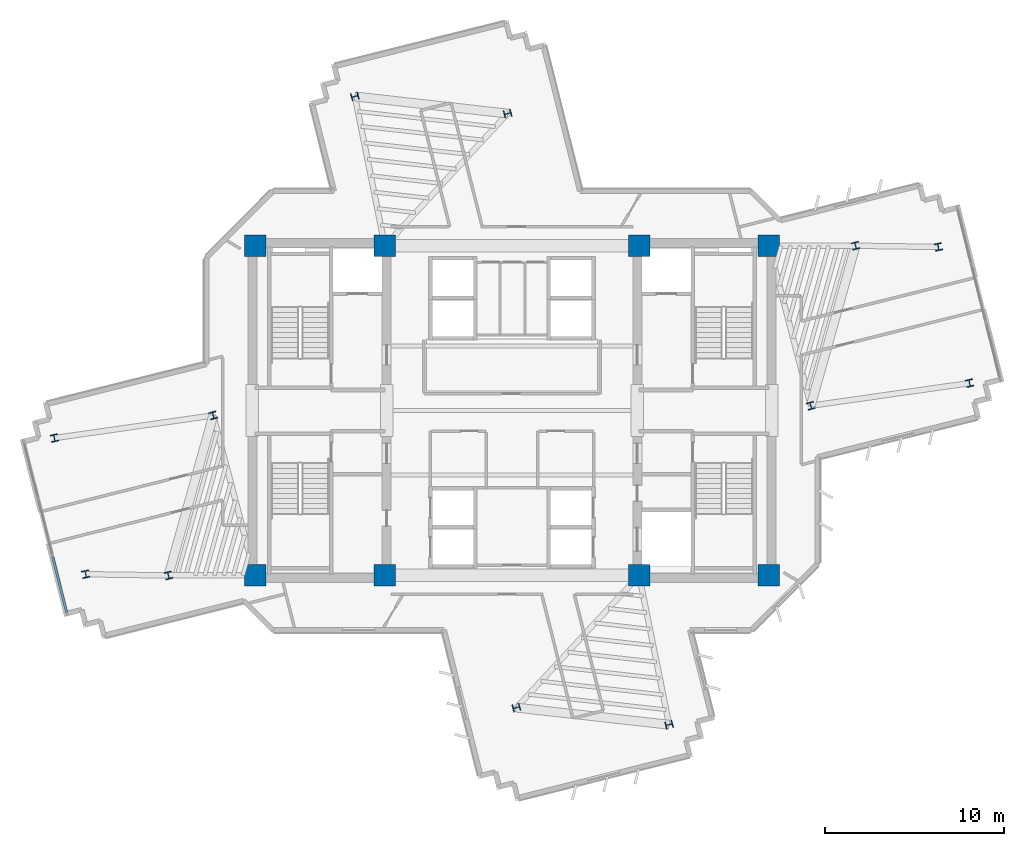
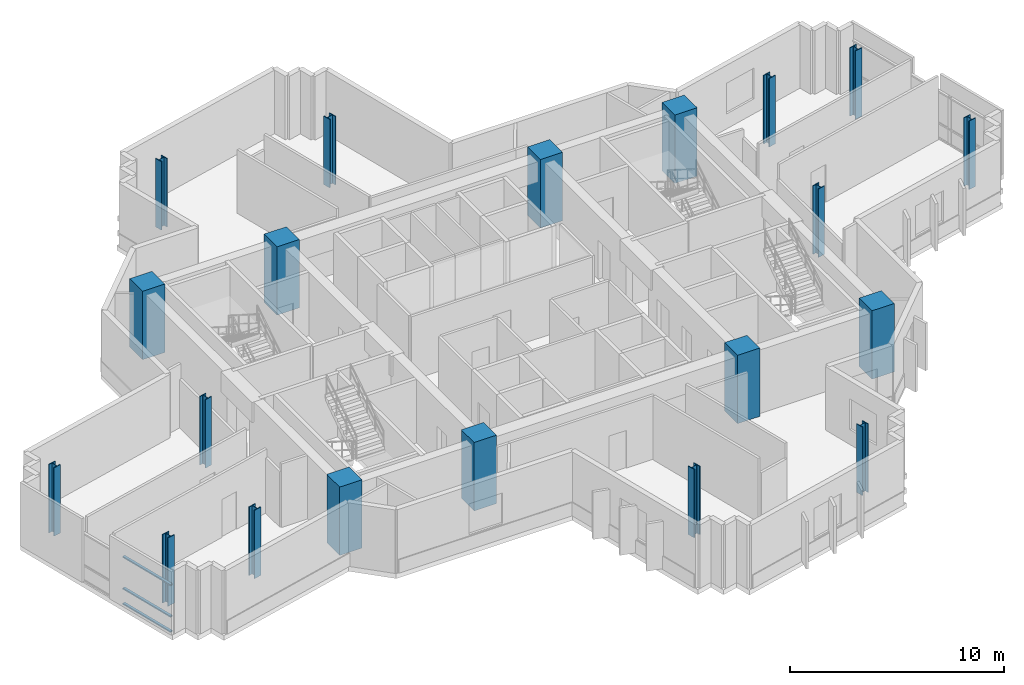
# One storey, part 1 of 13: 20 columns, 3 members, 1 element without a shape of its own.
"""IFC4 building model written with IfcOpenShell, lengths in metres."""

from ifc_helpers import new_model, si_unit, direction, frame, origin, origin_2d, place, context, subcontext, project, spatial, rectangle, i_section, extrude, source, transform, mapped, material, layer, layer_set, material_profile, profile_set, type_object, element, aggregate, save


model = new_model("IFC4")

# Units and contexts
model_context = context("Model", 3, precision=1e-05, world=origin(), true_north=direction((0.0, 1.0)))
body_context = subcontext(model_context, "Body", "Model", "MODEL_VIEW")
ifc_project = project(units=[si_unit("LENGTHUNIT", "METRE"), si_unit("AREAUNIT", "SQUARE_METRE"), si_unit("VOLUMEUNIT", "CUBIC_METRE"), si_unit("PLANEANGLEUNIT", "RADIAN"), si_unit("MASSUNIT", "GRAM", prefix="KILO")], contexts=[model_context])

# Site, building, storey
site_placement = place(None, origin())
site = spatial("IfcSite", under=ifc_project, at=site_placement, CompositionType="ELEMENT")
building_placement = place(site_placement, origin())
building = spatial("IfcBuilding", under=site, at=building_placement, Name="Zahravan Cultural Tower", CompositionType="ELEMENT")
storey_placement = place(building_placement, frame((0.0, 0.0, 190.199951171875)))
storey = spatial("IfcBuildingStorey", under=building, at=storey_placement, Name="L44", CompositionType="ELEMENT", Elevation=190.199951171875)

# Columns
ifc_material_1 = material(Name="Concrete C50/60", Category="concrete")
ifc_material_profile_1 = material_profile(ifc_material_1, rectangle(XDim=1.199951171875, YDim=1.199951171875, at=origin_2d()), Name="RC1200X1200")
ifc_profile_set_1 = profile_set([ifc_material_profile_1], Name="Concrete C50/60")
column_type_1 = type_object("IfcColumnType", Name="COL-RC1200", PredefinedType="COLUMN", material=ifc_profile_set_1)
shared_shape_1 = source(origin(), body_context, "Body", "SweptSolid", [
    extrude(rectangle(XDim=1.199951171875, YDim=1.199951171875, at=origin_2d()), origin(), (0.0, 0.0, 1.0), 3.900146484375),
])
for number, where, z_axis, x_axis, name in (
    (1, (21.64990234375, 17.800048828125, 0.0), (0.0, 0.0, 1.0), (1.0, 0.0, 0.0), "L44 Column CC-W1"),
    (2, (28.89990234375, 17.800048828125, 0.0), (0.0, 0.0, 1.0), (1.0, 0.0, 0.0), "L44 Column CC-W2"),
    (3, (21.64990234375, 36.199951171875, 0.0), (0.0, 0.0, 1.0), (1.0, 0.0, 0.0), "L44 Column CC-W3"),
    (4, (28.89990234375, 36.199951171875, 0.0), (0.0, 0.0, 1.0), (1.0, 0.0, 0.0), "L44 Column CC-W4"),
    (5, (43.10009765625, 17.800048828125, 0.0), (0.0, 0.0, 1.0), (1.0, 0.0, 0.0), "L44 Column CC-E1"),
    (6, (50.35009765625, 17.800048828125, 0.0), (0.0, 0.0, 1.0), (1.0, 0.0, 0.0), "L44 Column CC-E2"),
    (7, (43.10009765625, 36.199951171875, 0.0), (0.0, 0.0, 1.0), (1.0, 0.0, 0.0), "L44 Column CC-E3"),
    (8, (50.35009765625, 36.199951171875, 0.0), (0.0, 0.0, 1.0), (1.0, 0.0, 0.0), "L44 Column CC-E4"),
):
    element("IfcColumn", number, at=place(storey_placement, frame(where, z_axis=z_axis, x_axis=x_axis)), inside=storey, type_object=column_type_1, Name=name, PredefinedType="COLUMN", context=body_context, shape_type="MappedRepresentation", body=[
        mapped(shared_shape_1, transform((0.0, 0.0, 0.0), x_axis=(1.0, 0.0, 0.0), y_axis=(0.0, 1.0, 0.0), z_axis=(0.0, 0.0, 1.0), scale=1.0)),
    ])
ifc_material_2 = material(Name="Steel ASTM A992 Grade 50", Category="steel")
ifc_material_profile_2 = material_profile(ifc_material_2, i_section(OverallWidth=0.404052734375, OverallDepth=0.406982421875, WebThickness=0.027099609375, FlangeThickness=0.043701171875, FilletRadius=0.01806640625, at=origin_2d()), Name="W14X233")
ifc_profile_set_2 = profile_set([ifc_material_profile_2], Name="Steel ASTM A992 Grade 50")
column_type_2 = type_object("IfcColumnType", Name="COL-W14X233", PredefinedType="COLUMN", material=ifc_profile_set_2)
shared_shape_2 = source(origin(), body_context, "Body", "SweptSolid", [
    extrude(i_section(OverallWidth=0.404052734375, OverallDepth=0.406982421875, WebThickness=0.027099609375, FlangeThickness=0.043701171875, FilletRadius=0.01806640625, at=origin_2d()), origin(), (0.0, 0.0, 1.0), 3.900146484375),
])
for number, where, z_axis, x_axis, name in (
    (9, (52.684326171875, 27.27099609375, 0.0), (0.0, 0.0, 1.0), (0.966823388604, 0.255445757936, 0.0), "L44 Column Z2C-E1"),
    (10, (55.184814453125, 36.2060546875, 0.0), (0.0, 0.0, 1.0), (0.966823388604, 0.255445757936, 0.0), "L44 Column Z2C-E2"),
    (11, (35.754638671875, 43.587646484375, 0.0), (0.0, 0.0, 1.0), (-0.255445757936, 0.966823388604, 0.0), "L44 Column Z2C-N1"),
    (12, (27.22802734375, 44.541259765625, 0.0), (0.0, 0.0, 1.0), (-0.255445757936, 0.966823388604, 0.0), "L44 Column Z2C-N2"),
    (13, (19.315673828125, 26.72900390625, 0.0), (0.0, 0.0, 1.0), (0.966823388604, 0.255445757936, 0.0), "L44 Column Z2C-W1"),
    (14, (16.815185546875, 17.7939453125, 0.0), (0.0, 0.0, 1.0), (0.966823388604, 0.255445757936, 0.0), "L44 Column Z2C-W2"),
    (15, (36.245361328125, 10.412353515625, 0.0), (0.0, 0.0, 1.0), (-0.255445757936, 0.966823388604, 0.0), "L44 Column Z2C-S1"),
    (16, (44.77197265625, 9.458740234375, 0.0), (0.0, 0.0, 1.0), (-0.255445757936, 0.966823388604, 0.0), "L44 Column Z2C-S2"),
    (17, (61.552734375, 28.53466796875, 0.0), (0.0, 0.0, 1.0), (0.977415894286, 0.211324796455, 0.0), "L44 Column Z2T-E1"),
    (18, (59.806640625, 36.13720703125, 0.0), (0.0, 0.0, 1.0), (0.977415894286, 0.211324796455, 0.0), "L44 Column Z2T-E2"),
    (19, (10.447265625, 25.46533203125, 0.0), (0.0, 0.0, 1.0), (0.977415894286, 0.211324796455, 0.0), "L44 Column Z2T-W1"),
    (20, (12.193359375, 17.86279296875, 0.0), (0.0, 0.0, 1.0), (0.977415894286, 0.211324796455, 0.0), "L44 Column Z2T-W2"),
):
    element("IfcColumn", number, at=place(storey_placement, frame(where, z_axis=z_axis, x_axis=x_axis)), inside=storey, type_object=column_type_2, Name=name, PredefinedType="COLUMN", context=body_context, shape_type="MappedRepresentation", body=[
        mapped(shared_shape_2, transform((0.0, 0.0, 0.0), x_axis=(1.0, 0.0, 0.0), y_axis=(0.0, 1.0, 0.0), z_axis=(0.0, 0.0, 1.0), scale=1.0)),
    ])

# Curtain wall, members
ifc_material_3 = material(Name="Anodised bronze-aluminium mullion", Category="aluminium")
ifc_layer = layer(ifc_material_3, 0.179931640625)
ifc_layer_set = layer_set([ifc_layer], Name="Anodised bronze-aluminium mullion")
curtain_wall_type = type_object("IfcCurtainWallType", Name="CW-SYS-3", PredefinedType="USERDEFINED", material=ifc_layer_set)
curtain_wall_placement = place(storey_placement, origin())
curtain_wall = element("IfcCurtainWall", 21, at=curtain_wall_placement, inside=storey, type_object=curtain_wall_type, Name="L44 Recessed Curtain Wall CW-3.2", ObjectType="RECESSED GLAZING", PredefinedType="USERDEFINED")
ifc_material_profile_3 = material_profile(ifc_material_3, rectangle(XDim=0.139892578125, YDim=0.070068359375, at=origin_2d()), Name="AL-T70X140")
ifc_profile_set_3 = profile_set([ifc_material_profile_3], Name="Anodised bronze-aluminium mullion")
member_type = type_object("IfcMemberType", Name="CWT-CW-3", PredefinedType="USERDEFINED", material=ifc_profile_set_3)
shared_shape_3 = source(origin(), body_context, "Body", "SweptSolid", [
    extrude(rectangle(XDim=0.139892578125, YDim=0.070068359375, at=origin_2d()), origin(), (0.0, 0.0, 1.0), 3.20166015625),
])
member_1_placement = place(storey_placement, frame((11.1328125, 15.731201171875, 0.03515625), z_axis=(-0.242948276951, 0.97003924391, 0.0), x_axis=(-0.97003924391, -0.242948276951, 0.0)))
member_1 = element("IfcMember", 22, at=member_1_placement, type_object=member_type, Name="CW-3 transom 1.1", ObjectType="TRANSOM", PredefinedType="USERDEFINED", context=body_context, shape_type="MappedRepresentation", body=[
    mapped(shared_shape_3, transform((0.0, 0.0, 0.0), x_axis=(1.0, 0.0, 0.0), y_axis=(0.0, 1.0, 0.0), z_axis=(0.0, 0.0, 1.0), scale=1.0)),
])
member_2_placement = place(storey_placement, frame((11.1328125, 15.731201171875, 0.900146484375), z_axis=(-0.242948276951, 0.97003924391, 0.0), x_axis=(-0.97003924391, -0.242948276951, 0.0)))
member_2 = element("IfcMember", 23, at=member_2_placement, type_object=member_type, Name="CW-3 transom 1.2", ObjectType="TRANSOM", PredefinedType="USERDEFINED", context=body_context, shape_type="MappedRepresentation", body=[
    mapped(shared_shape_3, transform((0.0, 0.0, 0.0), x_axis=(1.0, 0.0, 0.0), y_axis=(0.0, 1.0, 0.0), z_axis=(0.0, 0.0, 1.0), scale=1.0)),
])
member_3_placement = place(storey_placement, frame((11.1328125, 15.731201171875, 2.705078125), z_axis=(-0.242948276951, 0.97003924391, 0.0), x_axis=(-0.97003924391, -0.242948276951, 0.0)))
member_3 = element("IfcMember", 24, at=member_3_placement, type_object=member_type, Name="CW-3 transom 1.3", ObjectType="TRANSOM", PredefinedType="USERDEFINED", context=body_context, shape_type="MappedRepresentation", body=[
    mapped(shared_shape_3, transform((0.0, 0.0, 0.0), x_axis=(1.0, 0.0, 0.0), y_axis=(0.0, 1.0, 0.0), z_axis=(0.0, 0.0, 1.0), scale=1.0)),
])
aggregate(curtain_wall, [member_1, member_2, member_3])

save(model, "model.ifc")
